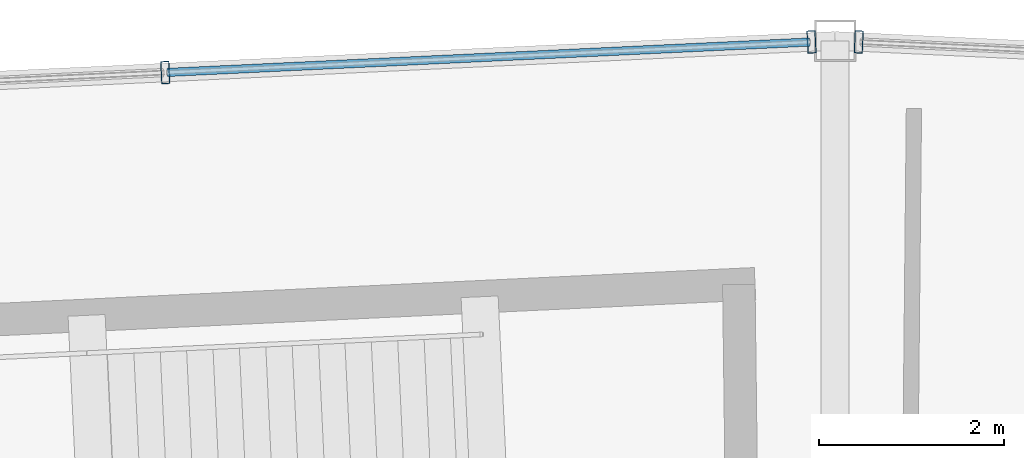
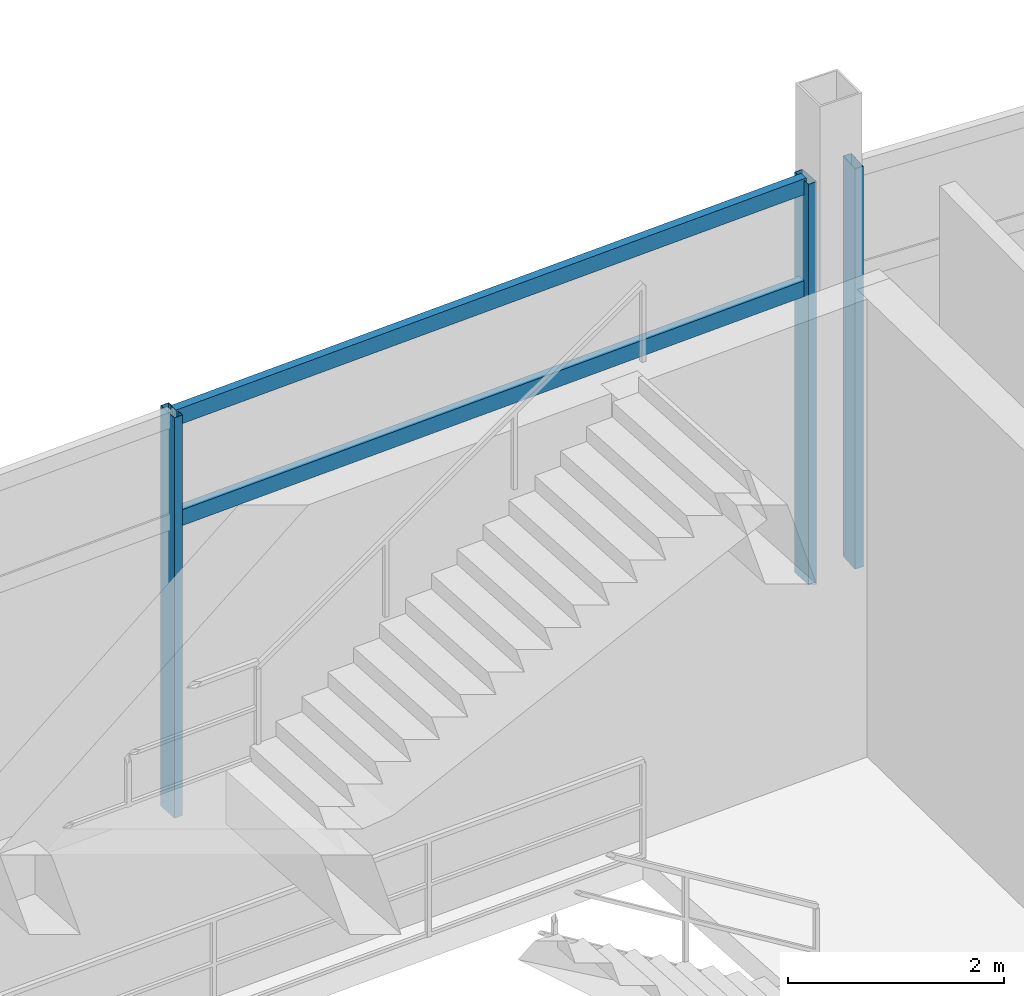
# One storey, part 59 of 103: 5 members, 2 elements without a shape of their own.
"""IFC4 building model written with IfcOpenShell, lengths in metres."""

from ifc_helpers import new_model, si_unit, direction, frame, origin, origin_2d, place, context, subcontext, project, spatial, hollow_rectangle, extrude, material, layer, layer_set, material_profile, profile_set, type_object, element, aggregate, save


model = new_model("IFC4")

# Units and contexts
model_context = context("Model", 3, precision=1e-05, world=origin(), true_north=direction((0.0, 1.0)))
body_context = subcontext(model_context, "Body", "Model", "MODEL_VIEW")
ifc_project = project(units=[si_unit("LENGTHUNIT", "METRE"), si_unit("AREAUNIT", "SQUARE_METRE"), si_unit("VOLUMEUNIT", "CUBIC_METRE"), si_unit("PLANEANGLEUNIT", "RADIAN"), si_unit("MASSUNIT", "GRAM", prefix="KILO")], contexts=[model_context])

# Site, building, storey
site_placement = place(None, origin())
site = spatial("IfcSite", under=ifc_project, at=site_placement, CompositionType="ELEMENT")
building_placement = place(site_placement, origin())
building = spatial("IfcBuilding", under=site, at=building_placement, Name="Kazemori Nagisa Stadium", CompositionType="ELEMENT")
storey_placement = place(building_placement, frame((0.0, 0.0, 25.840087890625)))
storey = spatial("IfcBuildingStorey", under=building, at=storey_placement, Name="L05", CompositionType="ELEMENT", Elevation=25.840087890625)

# Curtain wall, member
ifc_material_1 = material(Name="Anodised aluminium 6063-T5", Category="aluminium")
ifc_layer = layer(ifc_material_1, 0.239990234375, Name="Anodised aluminium 6063-T5", Category="aluminium")
ifc_layer_set = layer_set([ifc_layer], Name="Anodised aluminium 6063-T5")
curtain_wall_type = type_object("IfcCurtainWallType", Name="CW_L05R3_105", PredefinedType="USERDEFINED", material=ifc_layer_set)
curtain_wall_1_placement = place(storey_placement, origin())
curtain_wall_1 = element("IfcCurtainWall", 1, at=curtain_wall_1_placement, inside=storey, type_object=curtain_wall_type, Name="Unitised curtain wall CW-L05R3-105 L05", ObjectType="UNITISED CURTAIN WALL", PredefinedType="USERDEFINED")
ifc_material_2 = material(Name="Aluminium 6063-T5 anodised", Category="aluminium")
ifc_material_profile_1 = material_profile(ifc_material_2, hollow_rectangle(XDim=0.090087890625, YDim=0.239990234375, WallThickness=0.0048828125, at=origin_2d()), Name="ALU-MULL-90x240x5")
ifc_profile_set_1 = profile_set([ifc_material_profile_1], Name="Aluminium 6063-T5 anodised")
member_type_1 = type_object("IfcMemberType", Name="Mullion_M03", PredefinedType="MULLION", material=ifc_profile_set_1)
member_1_placement = place(storey_placement, frame((123.254638671875, 187.988037109375, 0.0), z_axis=(0.0, 0.0, 1.0), x_axis=(-0.998884022476, 0.047230388971, 0.0)))
member_1 = element("IfcMember", 2, at=member_1_placement, type_object=member_type_1, Name="Curtain wall mullion CW-L05R3-105-M4", PredefinedType="MULLION", context=body_context, shape_type="SweptSolid", body=[
    extrude(hollow_rectangle(XDim=0.090087890625, YDim=0.239990234375, WallThickness=0.0048828125, at=origin_2d()), origin(), (0.0, 0.0, 1.0), 4.530029296875),
])
aggregate(curtain_wall_1, [member_1])

# Curtain wall, members
curtain_wall_2_placement = place(storey_placement, origin())
curtain_wall_2 = element("IfcCurtainWall", 3, at=curtain_wall_2_placement, inside=storey, type_object=curtain_wall_type, Name="Unitised curtain wall CW-L05R3-105 L05", ObjectType="UNITISED CURTAIN WALL", PredefinedType="USERDEFINED")
member_2_placement = place(storey_placement, frame((122.745361328125, 187.988037109375, 0.0), z_axis=(0.0, 0.0, 1.0), x_axis=(-0.998884022476, -0.047230388971, 0.0)))
member_2 = element("IfcMember", 4, at=member_2_placement, type_object=member_type_1, Name="Curtain wall mullion CW-L05R3-105-M1", PredefinedType="MULLION", context=body_context, shape_type="SweptSolid", body=[
    extrude(hollow_rectangle(XDim=0.090087890625, YDim=0.239990234375, WallThickness=0.0048828125, at=origin_2d()), origin(), (0.0, 0.0, 1.0), 4.530029296875),
])
member_3_placement = place(storey_placement, frame((115.7724609375, 187.658203125, 0.0), z_axis=(0.0, 0.0, 1.0), x_axis=(-0.998884022476, -0.047230388971, 0.0)))
member_3 = element("IfcMember", 5, at=member_3_placement, type_object=member_type_1, Name="Curtain wall mullion CW-L05R3-105-M2", PredefinedType="MULLION", context=body_context, shape_type="SweptSolid", body=[
    extrude(hollow_rectangle(XDim=0.090087890625, YDim=0.239990234375, WallThickness=0.0048828125, at=origin_2d()), origin(), (0.0, 0.0, 1.0), 4.530029296875),
])
ifc_material_profile_2 = material_profile(ifc_material_2, hollow_rectangle(XDim=0.090087890625, YDim=0.179931640625, WallThickness=0.0048828125, at=origin_2d()), Name="ALU-TRAN-90x180x5")
ifc_profile_set_2 = profile_set([ifc_material_profile_2], Name="Aluminium 6063-T5 anodised")
member_type_2 = type_object("IfcMemberType", Name="Transom_T03", PredefinedType="USERDEFINED", material=ifc_profile_set_2)
member_4_placement = place(storey_placement, frame((122.725341796875, 187.987060546875, 3.306884765625), z_axis=(-0.998883524201, -0.047240925908, 0.0), x_axis=(0.047240925908, -0.998883524201, 0.0)))
member_4 = element("IfcMember", 6, at=member_4_placement, type_object=member_type_2, Name="Curtain wall transom CW-L05R3-105-T1-mid", ObjectType="TRANSOM", PredefinedType="USERDEFINED", context=body_context, shape_type="SweptSolid", body=[
    extrude(hollow_rectangle(XDim=0.090087890625, YDim=0.179931640625, WallThickness=0.0048828125, at=origin_2d()), origin(), (0.0, 0.0, 1.0), 6.940673828125),
])
member_5_placement = place(storey_placement, frame((122.725341796875, 187.987060546875, 4.4599609375), z_axis=(-0.998883524201, -0.047240925908, 0.0), x_axis=(0.047240925908, -0.998883524201, 0.0)))
member_5 = element("IfcMember", 7, at=member_5_placement, type_object=member_type_2, Name="Curtain wall transom CW-L05R3-105-T1-head", ObjectType="TRANSOM", PredefinedType="USERDEFINED", context=body_context, shape_type="SweptSolid", body=[
    extrude(hollow_rectangle(XDim=0.090087890625, YDim=0.179931640625, WallThickness=0.0048828125, at=origin_2d()), origin(), (0.0, 0.0, 1.0), 6.940673828125),
])
aggregate(curtain_wall_2, [member_2, member_3, member_4, member_5])

save(model, "model.ifc")
